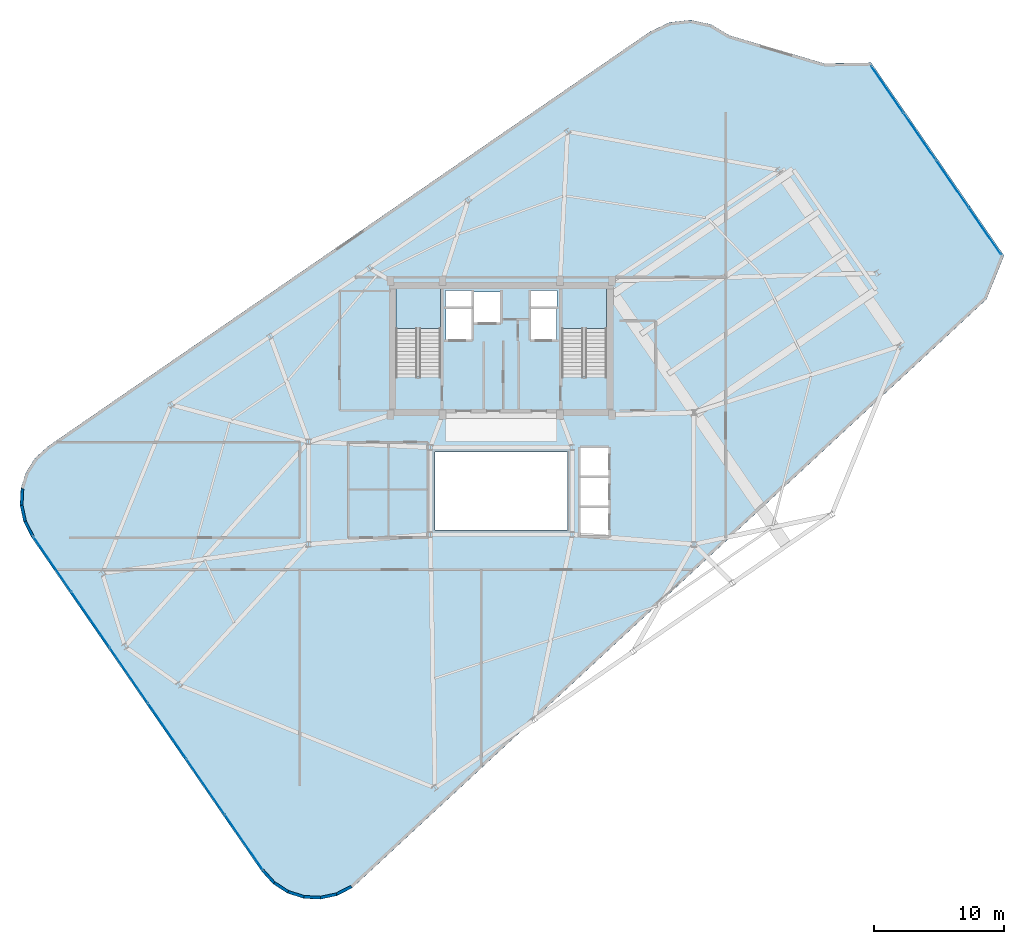
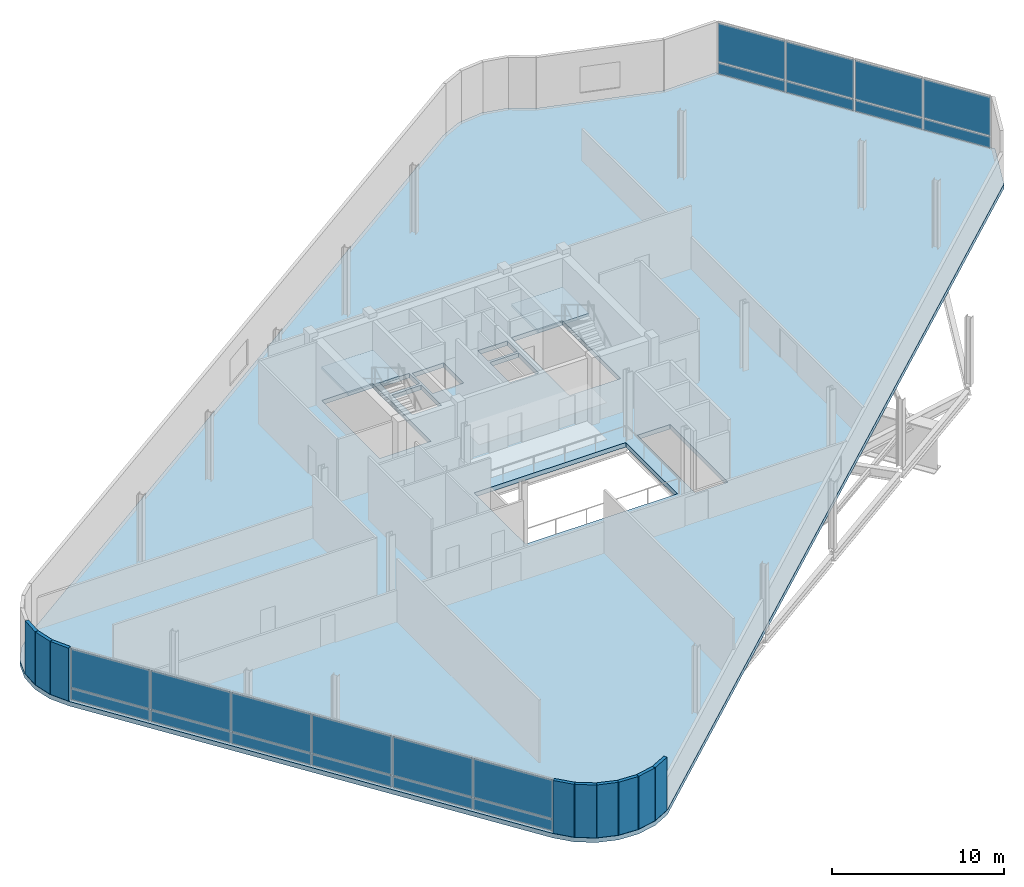
# One storey, part 10 of 15: 20 plates, 9 walls, 3 slabs, 4 elements without a shape of their own.
"""IFC4 building model written with IfcOpenShell, lengths in metres."""

from ifc_helpers import new_model, si_unit, direction, frame, frame_2d, origin, origin_2d, place, context, subcontext, project, spatial, polyline, rectangle, outline, extrude, source, transform, mapped, material, layer, layer_set, type_object, element, aggregate, save


model = new_model("IFC4")

# Units and contexts
model_context = context("Model", 3, precision=1e-05, world=origin(), true_north=direction((0.0, 1.0)))
body_context = subcontext(model_context, "Body", "Model", "MODEL_VIEW")
ifc_project = project(units=[si_unit("LENGTHUNIT", "METRE"), si_unit("AREAUNIT", "SQUARE_METRE"), si_unit("VOLUMEUNIT", "CUBIC_METRE"), si_unit("PLANEANGLEUNIT", "RADIAN"), si_unit("MASSUNIT", "GRAM", prefix="KILO")], contexts=[model_context])

# Site, building, storey
site_placement = place(None, origin())
site = spatial("IfcSite", under=ifc_project, at=site_placement, CompositionType="ELEMENT")
building_placement = place(site_placement, origin())
building = spatial("IfcBuilding", under=site, at=building_placement, Name="Varnelok Gate Tower", CompositionType="ELEMENT")
storey_placement = place(building_placement, frame((0.0, 0.0, 291.5)))
storey = spatial("IfcBuildingStorey", under=building, at=storey_placement, Name="L75", CompositionType="ELEMENT", Elevation=291.5)

# Stair, slab
ifc_material_1 = material(Name="Concrete C50/60", Category="concrete")
stair_type = type_object("IfcStairType", Name="STR-CORE-1650", PredefinedType="HALF_TURN_STAIR", material=ifc_material_1)
stair_1_placement = place(storey_placement, origin())
stair_1 = element("IfcStair", 1, at=stair_1_placement, inside=storey, type_object=stair_type, Name="L75 Exit Stair ST-1", PredefinedType="HALF_TURN_STAIR")
ifc_material_2 = material(Name="Concrete C45/55", Category="concrete")
ifc_layer_1 = layer(ifc_material_2, 0.199951171875)
ifc_layer_set_1 = layer_set([ifc_layer_1], Name="Concrete C45/55")
slab_type_1 = type_object("IfcSlabType", Name="SLB-LAND-200", PredefinedType="LANDING", material=ifc_layer_set_1)
slab_1_placement = place(storey_placement, frame((0.0, 0.0, 2.199951171875)))
slab_1 = element("IfcSlab", 2, at=slab_1_placement, type_object=slab_type_1, Name="ST-1 landing 1", PredefinedType="LANDING", context=body_context, shape_type="SweptSolid", body=[
    extrude(outline(polyline([(34.550048828125, 35.3701171875), (34.550048828125, 38.449951171875), (31.10009765625, 38.449951171875), (31.10009765625, 35.3701171875), (34.550048828125, 35.3701171875)])), origin(), (0.0, 0.0, 1.0), 0.199951171875),
])
aggregate(stair_1, [slab_1])

stair_2_placement = place(storey_placement, origin())
stair_2 = element("IfcStair", 3, at=stair_2_placement, inside=storey, type_object=stair_type, Name="L75 Exit Stair ST-2", PredefinedType="HALF_TURN_STAIR")
slab_2_placement = place(storey_placement, frame((0.0, 0.0, 2.199951171875)))
slab_2 = element("IfcSlab", 4, at=slab_2_placement, type_object=slab_type_1, Name="ST-2 landing 1", PredefinedType="LANDING", context=body_context, shape_type="SweptSolid", body=[
    extrude(outline(polyline([(47.300048828125, 35.3701171875), (47.300048828125, 38.449951171875), (43.85009765625, 38.449951171875), (43.85009765625, 35.3701171875), (47.300048828125, 35.3701171875)])), origin(), (0.0, 0.0, 1.0), 0.199951171875),
])
aggregate(stair_2, [slab_2])

# Slab
ifc_material_3 = material(Name="Concrete C60/75", Category="concrete")
ifc_layer_2 = layer(ifc_material_3, 0.320068359375)
ifc_layer_set_2 = layer_set([ifc_layer_2], Name="Concrete C60/75")
slab_type_2 = type_object("IfcSlabType", Name="SLB-TRN-320", PredefinedType="FLOOR", material=ifc_layer_set_2)
slab_3_placement = place(storey_placement, frame((0.0, 0.0, -0.320068359375)))
element("IfcSlab", 5, at=slab_3_placement, inside=storey, type_object=slab_type_2, Name="L75 Structural Floor Slab", PredefinedType="FLOOR", context=body_context, shape_type="SweptSolid", body=[
    extrude(outline(polyline([(20.79052734375, -6.32373046875), (21.664794921875, -7.292724609375), (22.76025390625, -8.00244140625), (24.002197265625, -8.404541015625), (25.3056640625, -8.471435546875), (26.58203125, -8.19873046875), (27.744384765625, -7.60498046875), (76.487060546875, 37.627197265625), (77.8232421875, 40.97607421875), (67.6123046875, 55.799560546875), (64.007080078125, 55.744873046875), (56.735107421875, 57.892822265625), (55.339599609375, 58.7333984375), (53.748291015625, 59.080810546875), (52.129638671875, 58.898193359375), (50.655517578125, 58.205078125), (4.373046875, 26.324462890625), (3.40380859375, 25.4501953125), (2.694091796875, 24.354736328125), (2.292236328125, 23.11279296875), (2.22509765625, 21.809326171875), (2.497802734375, 20.532958984375), (3.091796875, 19.37060546875), (20.79052734375, -6.32373046875)]), holes=[polyline([(34.550048828125, 31.679931640625), (34.550048828125, 38.449951171875), (31.10009765625, 38.449951171875), (31.10009765625, 31.679931640625), (34.550048828125, 31.679931640625)]), polyline([(47.300048828125, 31.679931640625), (47.300048828125, 38.449951171875), (43.85009765625, 38.449951171875), (43.85009765625, 31.679931640625), (47.300048828125, 31.679931640625)]), polyline([(34.949951171875, 34.550048828125), (36.89990234375, 34.550048828125), (36.89990234375, 36.89990234375), (34.949951171875, 36.89990234375), (34.949951171875, 34.550048828125)]), polyline([(41.5, 34.550048828125), (43.449951171875, 34.550048828125), (43.449951171875, 36.89990234375), (41.5, 36.89990234375), (41.5, 34.550048828125)]), polyline([(37.050048828125, 35.85009765625), (39.14990234375, 35.85009765625), (39.14990234375, 38.199951171875), (37.050048828125, 38.199951171875), (37.050048828125, 35.85009765625)]), polyline([(45.25, 19.449951171875), (47.449951171875, 19.449951171875), (47.449951171875, 26.199951171875), (45.25, 26.199951171875), (45.25, 19.449951171875)]), polyline([(34.919921875, 37.080078125), (36.89990234375, 37.080078125), (36.89990234375, 38.280029296875), (34.919921875, 38.280029296875), (34.919921875, 37.080078125)]), polyline([(41.5, 37.080078125), (43.47998046875, 37.080078125), (43.47998046875, 38.280029296875), (41.5, 38.280029296875), (41.5, 37.080078125)]), polyline([(34.10009765625, 19.89990234375), (44.300048828125, 19.89990234375), (44.300048828125, 25.89990234375), (34.10009765625, 25.89990234375), (34.10009765625, 19.89990234375)])]), origin(), (0.0, 0.0, 1.0), 0.320068359375),
])

# Curtain wall, plates
ifc_material_4 = material(Name="Anodized Aluminum Alloy 6063-T6", Category="aluminium")
ifc_layer_3 = layer(ifc_material_4, 0.179931640625)
ifc_layer_set_3 = layer_set([ifc_layer_3], Name="Anodized Aluminum Alloy 6063-T6")
curtain_wall_type = type_object("IfcCurtainWallType", Name="CW6-CROWN-LOOKOUT", PredefinedType="USERDEFINED", material=ifc_layer_set_3)
curtain_wall_1_placement = place(storey_placement, origin())
curtain_wall_1 = element("IfcCurtainWall", 6, at=curtain_wall_1_placement, inside=storey, type_object=curtain_wall_type, Name="L75 West End Vision Curtain Wall", ObjectType="STRUCTURAL GLAZING", PredefinedType="USERDEFINED")
ifc_material_5 = material(Name="Low-E Laminated Double Glazing IGU", Category="glass")
ifc_layer_4 = layer(ifc_material_5, 0.035888671875)
ifc_layer_set_4 = layer_set([ifc_layer_4], Name="Low-E Laminated Double Glazing IGU")
plate_type = type_object("IfcPlateType", Name="CW-PNL-IGU36", PredefinedType="CURTAIN_PANEL", material=ifc_layer_set_4)
shared_shape_1 = source(origin(), body_context, "Body", "SweptSolid", [
    extrude(rectangle(XDim=5.08740234375, YDim=0.035888671875, at=origin_2d()), origin(), (0.0, 0.0, 1.0), 0.78759765625),
])
plate_1_placement = place(storey_placement, frame((19.420166015625, -4.087646484375, 0.074951171875), z_axis=(0.0, 0.0, 1.0), x_axis=(-0.567269395376, 0.823532290241, 0.0)))
plate_1 = element("IfcPlate", 7, at=plate_1_placement, type_object=plate_type, Name="CW6 panel 1.1", PredefinedType="CURTAIN_PANEL", context=body_context, shape_type="MappedRepresentation", body=[
    mapped(shared_shape_1, transform((0.0, 0.0, 0.0), scale=1.0)),
])
plate_2_placement = place(storey_placement, frame((4.692626953125, 17.293212890625, 0.074951171875), z_axis=(0.0, 0.0, 1.0), x_axis=(-0.567269395376, 0.823532290241, 0.0)))
plate_2 = element("IfcPlate", 8, at=plate_2_placement, type_object=plate_type, Name="CW6 panel 6.1", PredefinedType="CURTAIN_PANEL", context=body_context, shape_type="MappedRepresentation", body=[
    mapped(shared_shape_1, transform((0.0, 0.0, 0.0), scale=1.0)),
])
shared_shape_2 = source(origin(), body_context, "Body", "SweptSolid", [
    extrude(rectangle(XDim=5.125, YDim=0.035888671875, at=origin_2d()), origin(), (0.0, 0.0, 1.0), 0.78759765625),
])
plate_3_placement = place(storey_placement, frame((16.481201171875, 0.17919921875, 0.074951171875), z_axis=(0.0, 0.0, 1.0), x_axis=(-0.567269395376, 0.823532290241, 0.0)))
plate_3 = element("IfcPlate", 9, at=plate_3_placement, type_object=plate_type, Name="CW6 panel 2.1", PredefinedType="CURTAIN_PANEL", context=body_context, shape_type="MappedRepresentation", body=[
    mapped(shared_shape_2, transform((0.0, 0.0, 0.0), scale=1.0)),
])
plate_4_placement = place(storey_placement, frame((13.53125, 4.461669921875, 0.074951171875), z_axis=(0.0, 0.0, 1.0), x_axis=(-0.567269395376, 0.823532290241, 0.0)))
plate_4 = element("IfcPlate", 10, at=plate_4_placement, type_object=plate_type, Name="CW6 panel 3.1", PredefinedType="CURTAIN_PANEL", context=body_context, shape_type="MappedRepresentation", body=[
    mapped(shared_shape_2, transform((0.0, 0.0, 0.0), scale=1.0)),
])
plate_5_placement = place(storey_placement, frame((10.58154296875, 8.743896484375, 0.074951171875), z_axis=(0.0, 0.0, 1.0), x_axis=(-0.567269395376, 0.823532290241, 0.0)))
plate_5 = element("IfcPlate", 11, at=plate_5_placement, type_object=plate_type, Name="CW6 panel 4.1", PredefinedType="CURTAIN_PANEL", context=body_context, shape_type="MappedRepresentation", body=[
    mapped(shared_shape_2, transform((0.0, 0.0, 0.0), scale=1.0)),
])
plate_6_placement = place(storey_placement, frame((7.631591796875, 13.0263671875, 0.074951171875), z_axis=(0.0, 0.0, 1.0), x_axis=(-0.567269395376, 0.823532290241, 0.0)))
plate_6 = element("IfcPlate", 12, at=plate_6_placement, type_object=plate_type, Name="CW6 panel 5.1", PredefinedType="CURTAIN_PANEL", context=body_context, shape_type="MappedRepresentation", body=[
    mapped(shared_shape_2, transform((0.0, 0.0, 0.0), scale=1.0)),
])
shared_shape_3 = source(origin(), body_context, "Body", "SweptSolid", [
    extrude(rectangle(XDim=5.08740234375, YDim=0.035888671875, at=origin_2d()), origin(), (0.0, 0.0, 1.0), 2.74755859375),
])
plate_7_placement = place(storey_placement, frame((19.420166015625, -4.087646484375, 0.9375), z_axis=(0.0, 0.0, 1.0), x_axis=(-0.567269395376, 0.823532290241, 0.0)))
plate_7 = element("IfcPlate", 13, at=plate_7_placement, type_object=plate_type, Name="CW6 panel 1.2", PredefinedType="CURTAIN_PANEL", context=body_context, shape_type="MappedRepresentation", body=[
    mapped(shared_shape_3, transform((0.0, 0.0, 0.0), scale=1.0)),
])
plate_8_placement = place(storey_placement, frame((4.692626953125, 17.293212890625, 0.9375), z_axis=(0.0, 0.0, 1.0), x_axis=(-0.567269395376, 0.823532290241, 0.0)))
plate_8 = element("IfcPlate", 14, at=plate_8_placement, type_object=plate_type, Name="CW6 panel 6.2", PredefinedType="CURTAIN_PANEL", context=body_context, shape_type="MappedRepresentation", body=[
    mapped(shared_shape_3, transform((0.0, 0.0, 0.0), scale=1.0)),
])
shared_shape_4 = source(origin(), body_context, "Body", "SweptSolid", [
    extrude(rectangle(XDim=5.125, YDim=0.035888671875, at=origin_2d()), origin(), (0.0, 0.0, 1.0), 2.74755859375),
])
plate_9_placement = place(storey_placement, frame((16.481201171875, 0.17919921875, 0.9375), z_axis=(0.0, 0.0, 1.0), x_axis=(-0.567269395376, 0.823532290241, 0.0)))
plate_9 = element("IfcPlate", 15, at=plate_9_placement, type_object=plate_type, Name="CW6 panel 2.2", PredefinedType="CURTAIN_PANEL", context=body_context, shape_type="MappedRepresentation", body=[
    mapped(shared_shape_4, transform((0.0, 0.0, 0.0), scale=1.0)),
])
plate_10_placement = place(storey_placement, frame((13.53125, 4.461669921875, 0.9375), z_axis=(0.0, 0.0, 1.0), x_axis=(-0.567269395376, 0.823532290241, 0.0)))
plate_10 = element("IfcPlate", 16, at=plate_10_placement, type_object=plate_type, Name="CW6 panel 3.2", PredefinedType="CURTAIN_PANEL", context=body_context, shape_type="MappedRepresentation", body=[
    mapped(shared_shape_4, transform((0.0, 0.0, 0.0), scale=1.0)),
])
plate_11_placement = place(storey_placement, frame((10.58154296875, 8.743896484375, 0.9375), z_axis=(0.0, 0.0, 1.0), x_axis=(-0.567269395376, 0.823532290241, 0.0)))
plate_11 = element("IfcPlate", 17, at=plate_11_placement, type_object=plate_type, Name="CW6 panel 4.2", PredefinedType="CURTAIN_PANEL", context=body_context, shape_type="MappedRepresentation", body=[
    mapped(shared_shape_4, transform((0.0, 0.0, 0.0), scale=1.0)),
])
plate_12_placement = place(storey_placement, frame((7.631591796875, 13.0263671875, 0.9375), z_axis=(0.0, 0.0, 1.0), x_axis=(-0.567269395376, 0.823532290241, 0.0)))
plate_12 = element("IfcPlate", 18, at=plate_12_placement, type_object=plate_type, Name="CW6 panel 5.2", PredefinedType="CURTAIN_PANEL", context=body_context, shape_type="MappedRepresentation", body=[
    mapped(shared_shape_4, transform((0.0, 0.0, 0.0), scale=1.0)),
])
aggregate(curtain_wall_1, [plate_1, plate_7, plate_3, plate_9, plate_4, plate_10, plate_5, plate_11, plate_6, plate_12, plate_2, plate_8])

curtain_wall_2_placement = place(storey_placement, origin())
curtain_wall_2 = element("IfcCurtainWall", 19, at=curtain_wall_2_placement, inside=storey, type_object=curtain_wall_type, Name="L75 East End Vision Curtain Wall", ObjectType="STRUCTURAL GLAZING", PredefinedType="USERDEFINED")
shared_shape_5 = source(origin(), body_context, "Body", "SweptSolid", [
    extrude(rectangle(XDim=4.3125, YDim=0.035888671875, at=origin_2d()), origin(), (0.0, 0.0, 1.0), 0.78759765625),
])
plate_13_placement = place(storey_placement, frame((68.847900390625, 53.75927734375, 0.074951171875), z_axis=(0.0, 0.0, 1.0), x_axis=(0.567267346856, -0.823533701309, 0.0)))
plate_13 = element("IfcPlate", 20, at=plate_13_placement, type_object=plate_type, Name="CW6 panel 1.1", PredefinedType="CURTAIN_PANEL", context=body_context, shape_type="MappedRepresentation", body=[
    mapped(shared_shape_5, transform((0.0, 0.0, 0.0), scale=1.0)),
])
plate_14_placement = place(storey_placement, frame((76.357177734375, 42.857666015625, 0.074951171875), z_axis=(0.0, 0.0, 1.0), x_axis=(0.567267346856, -0.823533701309, 0.0)))
plate_14 = element("IfcPlate", 21, at=plate_14_placement, type_object=plate_type, Name="CW6 panel 4.1", PredefinedType="CURTAIN_PANEL", context=body_context, shape_type="MappedRepresentation", body=[
    mapped(shared_shape_5, transform((0.0, 0.0, 0.0), scale=1.0)),
])
shared_shape_6 = source(origin(), body_context, "Body", "SweptSolid", [
    extrude(rectangle(XDim=4.3125, YDim=0.035888671875, at=origin_2d()), origin(), (0.0, 0.0, 1.0), 2.74755859375),
])
plate_15_placement = place(storey_placement, frame((68.847900390625, 53.75927734375, 0.9375), z_axis=(0.0, 0.0, 1.0), x_axis=(0.567267346856, -0.823533701309, 0.0)))
plate_15 = element("IfcPlate", 22, at=plate_15_placement, type_object=plate_type, Name="CW6 panel 1.2", PredefinedType="CURTAIN_PANEL", context=body_context, shape_type="MappedRepresentation", body=[
    mapped(shared_shape_6, transform((0.0, 0.0, 0.0), scale=1.0)),
])
plate_16_placement = place(storey_placement, frame((76.357177734375, 42.857666015625, 0.9375), z_axis=(0.0, 0.0, 1.0), x_axis=(0.567267346856, -0.823533701309, 0.0)))
plate_16 = element("IfcPlate", 23, at=plate_16_placement, type_object=plate_type, Name="CW6 panel 4.2", PredefinedType="CURTAIN_PANEL", context=body_context, shape_type="MappedRepresentation", body=[
    mapped(shared_shape_6, transform((0.0, 0.0, 0.0), scale=1.0)),
])
shared_shape_7 = source(origin(), body_context, "Body", "SweptSolid", [
    extrude(rectangle(XDim=4.35009765625, YDim=0.035888671875, at=origin_2d()), origin(), (0.0, 0.0, 1.0), 0.78759765625),
])
plate_17_placement = place(storey_placement, frame((71.347412109375, 50.130615234375, 0.074951171875), z_axis=(0.0, 0.0, 1.0), x_axis=(0.567267346856, -0.823533701309, 0.0)))
plate_17 = element("IfcPlate", 24, at=plate_17_placement, type_object=plate_type, Name="CW6 panel 2.1", PredefinedType="CURTAIN_PANEL", context=body_context, shape_type="MappedRepresentation", body=[
    mapped(shared_shape_7, transform((0.0, 0.0, 0.0), scale=1.0)),
])
plate_18_placement = place(storey_placement, frame((73.857666015625, 46.486328125, 0.074951171875), z_axis=(0.0, 0.0, 1.0), x_axis=(0.567267346856, -0.823533701309, 0.0)))
plate_18 = element("IfcPlate", 25, at=plate_18_placement, type_object=plate_type, Name="CW6 panel 3.1", PredefinedType="CURTAIN_PANEL", context=body_context, shape_type="MappedRepresentation", body=[
    mapped(shared_shape_7, transform((0.0, 0.0, 0.0), scale=1.0)),
])
shared_shape_8 = source(origin(), body_context, "Body", "SweptSolid", [
    extrude(rectangle(XDim=4.35009765625, YDim=0.035888671875, at=origin_2d()), origin(), (0.0, 0.0, 1.0), 2.74755859375),
])
plate_19_placement = place(storey_placement, frame((71.347412109375, 50.130615234375, 0.9375), z_axis=(0.0, 0.0, 1.0), x_axis=(0.567267346856, -0.823533701309, 0.0)))
plate_19 = element("IfcPlate", 26, at=plate_19_placement, type_object=plate_type, Name="CW6 panel 2.2", PredefinedType="CURTAIN_PANEL", context=body_context, shape_type="MappedRepresentation", body=[
    mapped(shared_shape_8, transform((0.0, 0.0, 0.0), scale=1.0)),
])
plate_20_placement = place(storey_placement, frame((73.857666015625, 46.486328125, 0.9375), z_axis=(0.0, 0.0, 1.0), x_axis=(0.567267346856, -0.823533701309, 0.0)))
plate_20 = element("IfcPlate", 27, at=plate_20_placement, type_object=plate_type, Name="CW6 panel 3.2", PredefinedType="CURTAIN_PANEL", context=body_context, shape_type="MappedRepresentation", body=[
    mapped(shared_shape_8, transform((0.0, 0.0, 0.0), scale=1.0)),
])
aggregate(curtain_wall_2, [plate_13, plate_15, plate_17, plate_19, plate_18, plate_20, plate_14, plate_16])

# Walls
ifc_layer_5 = layer(ifc_material_2, 0.219970703125)
ifc_layer_set_5 = layer_set([ifc_layer_5], Name="Concrete C45/55")
wall_type = type_object("IfcWallType", Name="EW-BALC-220", PredefinedType="SOLIDWALL", material=ifc_layer_set_5)
wall_1_placement = place(storey_placement, frame((20.89013671875, -6.255126953125, 0.0), z_axis=(0.0, 0.0, 1.0), x_axis=(0.669949059844, -0.74240706975, 0.0)))
element("IfcWall", 28, at=wall_1_placement, inside=storey, type_object=wall_type, Name="L75 Perimeter Facade Closure Wall 1", PredefinedType="SOLIDWALL", context=body_context, shape_type="SweptSolid", body=[
    extrude(rectangle(XDim=1.273681640625, YDim=0.219970703125, at=frame_2d((0.63671875, 0.0))), origin(), (0.0, 0.0, 1.0), 3.760009765625),
])
for number, where, z_axis, x_axis, name in (
    (29, (21.764404296875, -7.21435546875, 0.0), (0.0, 0.0, 1.0), (0.839229000731, -0.543778157277, 0.0), "L75 Perimeter Facade Closure Wall 2"),
    (30, (22.836181640625, -7.90087890625, 0.0), (0.0, 0.0, 1.0), (0.951385542995, -0.308002513919, 0.0), "L75 Perimeter Facade Closure Wall 3"),
    (31, (24.049072265625, -8.286865234375, 0.0), (0.0, 0.0, 1.0), (0.998686637427, -0.051234756022, 0.0), "L75 Perimeter Facade Closure Wall 4"),
):
    element("IfcWall", number, at=place(storey_placement, frame(where, z_axis=z_axis, x_axis=x_axis)), inside=storey, type_object=wall_type, Name=name, PredefinedType="SOLIDWALL", context=body_context, shape_type="SweptSolid", body=[
        extrude(rectangle(XDim=1.24853515625, YDim=0.219970703125, at=frame_2d((0.624267578125, 0.0))), origin(), (0.0, 0.0, 1.0), 3.760009765625),
    ])
wall_2_placement = place(storey_placement, frame((25.3203125, -8.345703125, 0.0), z_axis=(0.0, 0.0, 1.0), x_axis=(0.977916710262, 0.208994994656, 0.0)))
element("IfcWall", 32, at=wall_2_placement, inside=storey, type_object=wall_type, Name="L75 Perimeter Facade Closure Wall 5", PredefinedType="SOLIDWALL", context=body_context, shape_type="SweptSolid", body=[
    extrude(rectangle(XDim=1.248779296875, YDim=0.219970703125, at=frame_2d((0.62451171875, 0.0))), origin(), (0.0, 0.0, 1.0), 3.760009765625),
])
wall_3_placement = place(storey_placement, frame((26.563720703125, -8.073486328125, 0.0), z_axis=(0.0, 0.0, 1.0), x_axis=(0.890480481585, 0.455021441161, 0.0)))
element("IfcWall", 33, at=wall_3_placement, inside=storey, type_object=wall_type, Name="L75 Perimeter Facade Closure Wall 6", PredefinedType="SOLIDWALL", context=body_context, shape_type="SweptSolid", body=[
    extrude(rectangle(XDim=1.248046875, YDim=0.219970703125, at=frame_2d((0.6240234375, 0.0))), origin(), (0.0, 0.0, 1.0), 3.760009765625),
])
wall_4_placement = place(storey_placement, frame((2.409912109375, 23.06591796875, 0.0), z_axis=(0.0, 0.0, 1.0), x_axis=(-0.051234756022, -0.998686637427, 0.0)))
element("IfcWall", 34, at=wall_4_placement, inside=storey, type_object=wall_type, Name="L75 Perimeter Facade Closure Wall 19", PredefinedType="SOLIDWALL", context=body_context, shape_type="SweptSolid", body=[
    extrude(rectangle(XDim=1.24853515625, YDim=0.219970703125, at=frame_2d((0.624267578125, 0.0))), origin(), (0.0, 0.0, 1.0), 3.760009765625),
])
for number, where, z_axis, x_axis, name in (
    (35, (2.35107421875, 21.794677734375, 0.0), (0.0, 0.0, 1.0), (0.208994994656, -0.977916710262, 0.0), "L75 Perimeter Facade Closure Wall 20"),
    (36, (2.623291015625, 20.55126953125, 0.0), (0.0, 0.0, 1.0), (0.454938817534, -0.890522696118, 0.0), "L75 Perimeter Facade Closure Wall 21"),
):
    element("IfcWall", number, at=place(storey_placement, frame(where, z_axis=z_axis, x_axis=x_axis)), inside=storey, type_object=wall_type, Name=name, PredefinedType="SOLIDWALL", context=body_context, shape_type="SweptSolid", body=[
        extrude(rectangle(XDim=1.248779296875, YDim=0.219970703125, at=frame_2d((0.62451171875, 0.0))), origin(), (0.0, 0.0, 1.0), 3.760009765625),
    ])

save(model, "model.ifc")
